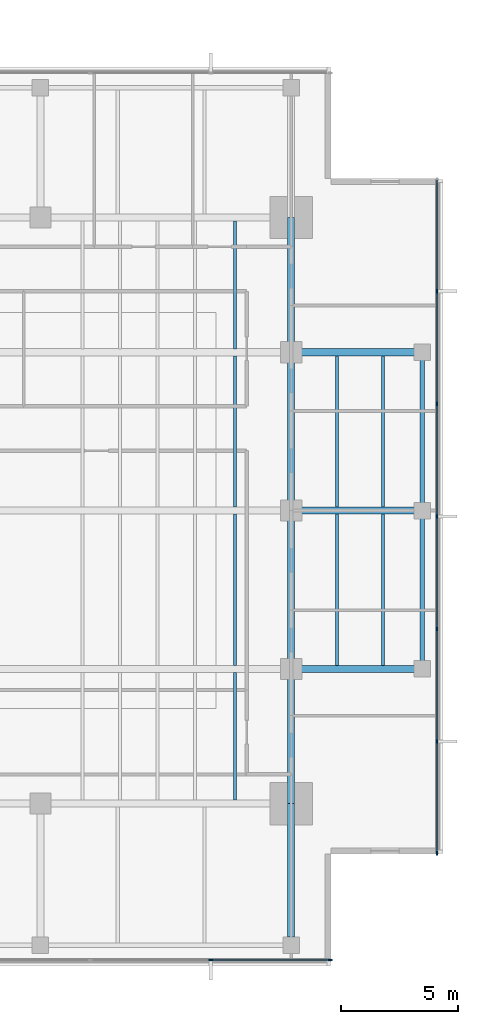
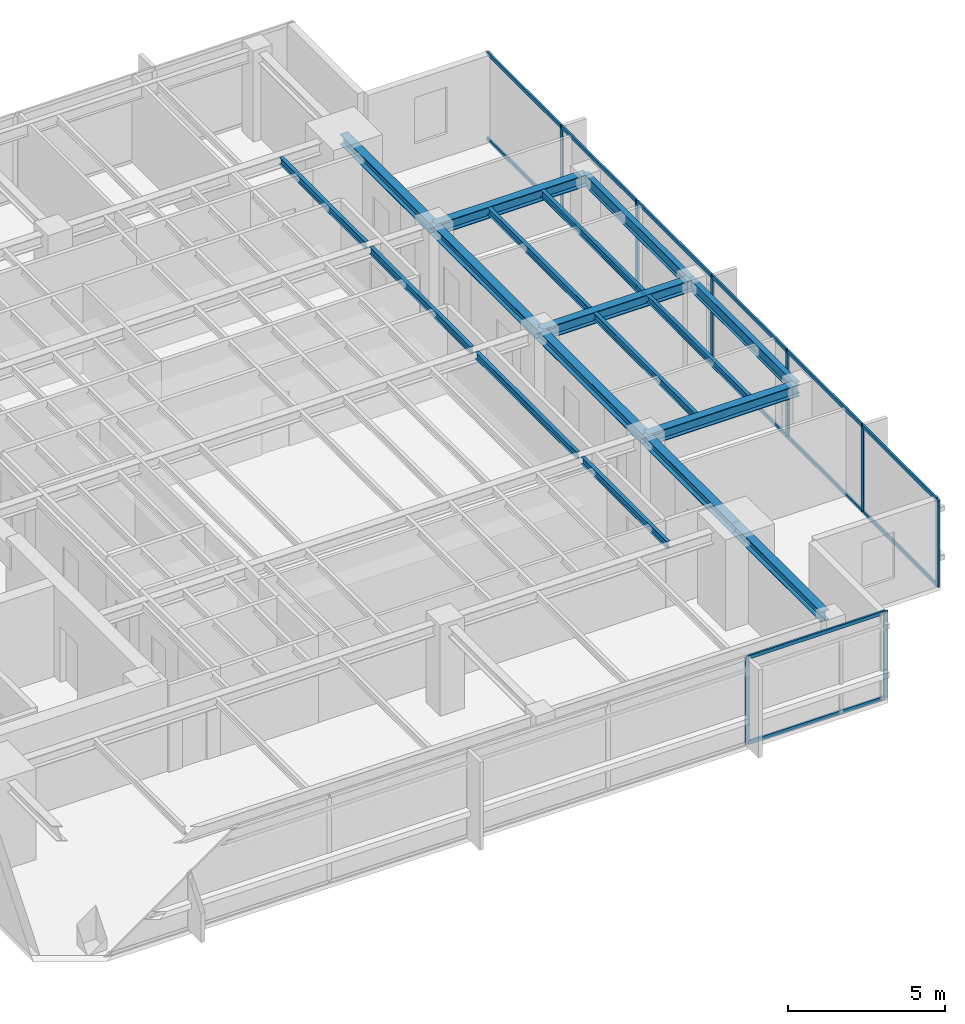
# One storey, part 4 of 14: 22 members, 18 beams, 2 elements without a shape of their own.
"""IFC4 building model written with IfcOpenShell, lengths in metres."""

import ifcopenshell
import ifcopenshell.guid

model = None  # the IFC model being written
_history = None  # IfcOwnerHistory: only IFC2X3 demands one
_inside = {}  # id of a spatial element -> (the spatial element, [elements in it])
_under = {}  # id of a project, library or spatial element -> (it, [spatial elements below it])
_declared = {}  # id of a project -> (the project, [libraries it declares])
_typed = {}  # id of a type object -> (the type object, [elements of that type])
_made_of = {}  # id of a material, layer set ... -> (it, [elements and type objects made of it])


def new_model(schema):
    """Start an empty IFC model of exactly this schema.

    Asked for "IFC4X3", IfcOpenShell would pick the latest addendum, in which some entities
    have other attributes; the version numbers below select the first issue.
    IFC2X3 requires an IfcOwnerHistory on every rooted entity: one is made here for all.
    """
    global model, _history
    if schema == "IFC4X3":
        model = ifcopenshell.file(schema_version=(4, 3, 0, 0))
    else:
        model = ifcopenshell.file(schema=schema)
    _inside.clear()
    _under.clear()
    _declared.clear()
    _typed.clear()
    _made_of.clear()
    _history = None
    if model.schema == "IFC2X3":
        org = make("IfcOrganization", Name="unknown")
        user = make(
            "IfcPersonAndOrganization",
            ThePerson=make("IfcPerson", FamilyName="unknown"),
            TheOrganization=org,
        )
        app = make(
            "IfcApplication",
            ApplicationDeveloper=org,
            Version="unknown",
            ApplicationFullName="unknown",
            ApplicationIdentifier="unknown",
        )
        _history = make(
            "IfcOwnerHistory",
            OwningUser=user,
            OwningApplication=app,
            ChangeAction="ADDED",
            CreationDate=0,
        )
    return model


def make(cls, **values):
    """One entity of the class cls with the attributes given. An attribute that is None is left unset."""
    return model.create_entity(
        cls, **{name: value for name, value in values.items() if value is not None}
    )


def rooted(cls, **values):
    """An entity with a GlobalId (a new one), such as an element, a storey or a relation."""
    return make(cls, GlobalId=ifcopenshell.guid.new(), OwnerHistory=_history, **values)


def si_unit(unit_type, name, prefix=None):
    """IfcSIUnit, for example si_unit("LENGTHUNIT", "METRE", prefix="MILLI")."""
    return make("IfcSIUnit", UnitType=unit_type, Prefix=prefix, Name=name)


def assignment(units):
    """IfcUnitAssignment: the units of a project."""
    return None if units is None else make("IfcUnitAssignment", Units=units)


def point(xyz):
    """IfcCartesianPoint."""
    return None if xyz is None else make("IfcCartesianPoint", Coordinates=xyz)


def direction(xyz):
    """IfcDirection."""
    return None if xyz is None else make("IfcDirection", DirectionRatios=xyz)


def frame(location, z_axis=None, x_axis=None):
    """IfcAxis2Placement3D, a coordinate frame: its origin and axes. An axis left out is left unset."""
    return make(
        "IfcAxis2Placement3D",
        Location=point(location),
        Axis=direction(z_axis),
        RefDirection=direction(x_axis),
    )


def frame_2d(location, x_axis=None):
    """IfcAxis2Placement2D, a coordinate frame in the plane: its origin and x axis."""
    return make(
        "IfcAxis2Placement2D", Location=point(location), RefDirection=direction(x_axis)
    )


def origin():
    """The frame at (0, 0, 0) with its axes left unset."""
    return frame((0.0, 0.0, 0.0))


def origin_2d():
    """The frame at (0, 0) in the plane with its x axis left unset."""
    return frame_2d((0.0, 0.0))


def place(relative_to, where):
    """IfcLocalPlacement: puts the frame where relative to a parent placement (None: the world)."""
    return make(
        "IfcLocalPlacement", PlacementRelTo=relative_to, RelativePlacement=where
    )


def context(
    kind, dimensions, precision=None, world=None, true_north=None, identifier=None
):
    """IfcGeometricRepresentationContext, for example the 3D "Model" context."""
    return make(
        "IfcGeometricRepresentationContext",
        ContextIdentifier=identifier,
        ContextType=kind,
        CoordinateSpaceDimension=dimensions,
        Precision=precision,
        WorldCoordinateSystem=world,
        TrueNorth=true_north,
    )


def subcontext(parent, identifier, kind, view, scale=None):
    """IfcGeometricRepresentationSubContext, for example "Body" below "Model"."""
    return make(
        "IfcGeometricRepresentationSubContext",
        ContextIdentifier=identifier,
        ContextType=kind,
        ParentContext=parent,
        TargetScale=scale,
        TargetView=view,
    )


def project(units=None, contexts=None):
    """IfcProject with its units and contexts."""
    return rooted(
        "IfcProject",
        Name="project",
        RepresentationContexts=contexts,
        UnitsInContext=assignment(units),
    )


def spatial(cls, under=None, at=None, **own):
    """A site, building, storey or space (cls), placed at a placement, below another one or the project."""
    s = rooted(cls, ObjectPlacement=at, **own)
    if under is not None:
        _under.setdefault(under.id(), (under, []))[1].append(s)
    return s


def profile(cls, at=None, kind="AREA", **sizes):
    """A parametric profile (cls). Its sizes go by their IFC names, for example OverallWidth=200.0."""
    return make(cls, ProfileType=kind, Position=at, **sizes)


def rectangle(**sizes):
    """IfcRectangleProfileDef."""
    return profile("IfcRectangleProfileDef", **sizes)


def i_section(**sizes):
    """IfcIShapeProfileDef."""
    return profile("IfcIShapeProfileDef", **sizes)


def extrude(swept, where, along, depth):
    """IfcExtrudedAreaSolid: the profile swept, set in the frame where, extruded along a direction by depth."""
    return make(
        "IfcExtrudedAreaSolid",
        SweptArea=swept,
        Position=where,
        ExtrudedDirection=direction(along),
        Depth=depth,
    )


def shape(context_of_items, identifier, shape_type, items):
    """IfcShapeRepresentation: the items that make up one representation, for example the "Body"."""
    return make(
        "IfcShapeRepresentation",
        ContextOfItems=context_of_items,
        RepresentationIdentifier=identifier,
        RepresentationType=shape_type,
        Items=items,
    )


def material(Name=None, Category=None):
    """IfcMaterial."""
    return make("IfcMaterial", Name=Name, Category=Category)


def layer(
    of_material, thickness, ventilated=None, Name=None, Category=None, Priority=None
):
    """IfcMaterialLayer: one layer of a wall or slab, of a material (None: an air gap)."""
    return make(
        "IfcMaterialLayer",
        Material=of_material,
        LayerThickness=thickness,
        IsVentilated=ventilated,
        Name=Name,
        Category=Category,
        Priority=Priority,
    )


def layer_set(layers, Name=None):
    """IfcMaterialLayerSet."""
    return make("IfcMaterialLayerSet", MaterialLayers=layers, LayerSetName=Name)


def material_profile(
    of_material, cross_section, Name=None, Category=None, Priority=None
):
    """IfcMaterialProfile: a cross section and its material."""
    return make(
        "IfcMaterialProfile",
        Name=Name,
        Material=of_material,
        Profile=cross_section,
        Priority=Priority,
        Category=Category,
    )


def profile_set(profiles, Name=None, composite=None):
    """IfcMaterialProfileSet."""
    return make(
        "IfcMaterialProfileSet",
        Name=Name,
        MaterialProfiles=profiles,
        CompositeProfile=composite,
    )


def made_of(thing, what):
    """Note that an element or type object is made of a material, layer set ...; save() writes the relation."""
    if what is not None:
        _made_of.setdefault(what.id(), (what, []))[1].append(thing)
    return thing


def type_object(cls, material=None, **own):
    """A type object (cls), such as IfcWallType, which elements share."""
    return made_of(rooted(cls, **own), material)


def element(
    cls,
    number,
    at=None,
    inside=None,
    cuts=None,
    type_object=None,
    material=None,
    context=None,
    identifier="Body",
    shape_type=None,
    held_by="IfcProductDefinitionShape",
    body=None,
    shapes=None,
    **own,
):
    """One element of the class cls, such as IfcWall. Its Tag is "e" and its number.

    at: its placement. inside: the storey or other place that contains it. cuts: it is an
    opening in that element (IfcRelVoidsElement). A single representation is given by context,
    identifier, shape_type and body (its items); several are given by shapes. held_by: the class
    of the entity that holds the representations. save() writes the other relations.
    """
    e = rooted(cls, Tag="e%d" % number, ObjectPlacement=at, **own)
    if body is not None:
        shapes = [shape(context, identifier, shape_type, body)]
    if shapes is not None:
        e.Representation = make(held_by, Representations=shapes)
    if inside is not None:
        _inside.setdefault(inside.id(), (inside, []))[1].append(e)
    if cuts is not None:
        rooted(
            "IfcRelVoidsElement", RelatingBuildingElement=cuts, RelatedOpeningElement=e
        )
    if type_object is not None:
        _typed.setdefault(type_object.id(), (type_object, []))[1].append(e)
    return made_of(e, material)


def aggregate(whole, parts):
    """IfcRelAggregates: a whole, such as a stair, and the parts it consists of."""
    return rooted("IfcRelAggregates", RelatingObject=whole, RelatedObjects=parts)


def save(model, path):
    """Write the relations noted so far, then the file.

    IfcRelAggregates (storeys below a building ...), IfcRelContainedInSpatialStructure (elements
    in a storey), IfcRelDefinesByType, IfcRelAssociatesMaterial and IfcRelDeclares: one each for
    every whole, place, type object, material and project.
    """
    for whole, parts in _under.values():
        aggregate(whole, parts)
    for where, things in _inside.values():
        rooted(
            "IfcRelContainedInSpatialStructure",
            RelatedElements=things,
            RelatingStructure=where,
        )
    for kind, things in _typed.values():
        rooted("IfcRelDefinesByType", RelatedObjects=things, RelatingType=kind)
    for what, things in _made_of.values():
        rooted("IfcRelAssociatesMaterial", RelatedObjects=things, RelatingMaterial=what)
    for by, libraries in _declared.values():
        rooted("IfcRelDeclares", RelatingContext=by, RelatedDefinitions=libraries)
    model.write(path)


model = new_model("IFC4")

# Units and contexts
model_context = context("Model", 3, precision=1e-05, world=origin(), true_north=direction((0.0, 1.0)))
body_context = subcontext(model_context, "Body", "Model", "MODEL_VIEW")
ifc_project = project(units=[si_unit("LENGTHUNIT", "METRE"), si_unit("AREAUNIT", "SQUARE_METRE"), si_unit("VOLUMEUNIT", "CUBIC_METRE"), si_unit("PLANEANGLEUNIT", "RADIAN"), si_unit("MASSUNIT", "GRAM", prefix="KILO")], contexts=[model_context])

# Site, building, storey
site_placement = place(None, origin())
site = spatial("IfcSite", under=ifc_project, at=site_placement, CompositionType="ELEMENT")
building_placement = place(site_placement, origin())
building = spatial("IfcBuilding", under=site, at=building_placement, Name="Kinhvarn Gate Tower", CompositionType="ELEMENT")
storey_placement = place(building_placement, frame((0.0, 0.0, 284.75)))
storey = spatial("IfcBuildingStorey", under=building, at=storey_placement, Name="L76", CompositionType="ELEMENT", Elevation=284.75)

# Curtain wall, members
ifc_material_1 = material(Name="Anodised aluminium AW-6063", Category="aluminium")
ifc_layer = layer(ifc_material_1, 0.179931640625)
ifc_layer_set = layer_set([ifc_layer], Name="Anodised aluminium AW-6063")
curtain_wall_type = type_object("IfcCurtainWallType", Name="CW-SYS-3", PredefinedType="NOTDEFINED", material=ifc_layer_set)
curtain_wall_1_placement = place(storey_placement, origin())
curtain_wall_1 = element("IfcCurtainWall", 1, at=curtain_wall_1_placement, inside=storey, type_object=curtain_wall_type, Name="Curtain Wall CW3 (L76)", PredefinedType="NOTDEFINED")
ifc_material_profile_1 = material_profile(ifc_material_1, rectangle(XDim=0.06494140625, YDim=0.159912109375, at=origin_2d()), Name="ALU 65x160")
ifc_profile_set_1 = profile_set([ifc_material_profile_1], Name="Anodised aluminium AW-6063")
member_type_1 = type_object("IfcMemberType", Name="CW-MUL-160", PredefinedType="MULLION", material=ifc_profile_set_1)
member_1_placement = place(storey_placement, frame((34.7666015625, 6.090087890625, 0.0), z_axis=(0.0, 0.0, 1.0), x_axis=(0.0, 1.0, 0.0)))
member_1 = element("IfcMember", 2, at=member_1_placement, type_object=member_type_1, Name="CW3 mullion 6", PredefinedType="MULLION", context=body_context, shape_type="SweptSolid", body=[
    extrude(rectangle(XDim=0.06494140625, YDim=0.159912109375, at=origin_2d()), origin(), (0.0, 0.0, 1.0), 3.389892578125),
])
member_2_placement = place(storey_placement, frame((39.867431640625, 6.090087890625, 0.0), z_axis=(0.0, 0.0, 1.0), x_axis=(0.0, 1.0, 0.0)))
member_2 = element("IfcMember", 3, at=member_2_placement, type_object=member_type_1, Name="CW3 mullion 7", PredefinedType="MULLION", context=body_context, shape_type="SweptSolid", body=[
    extrude(rectangle(XDim=0.06494140625, YDim=0.159912109375, at=origin_2d()), origin(), (0.0, 0.0, 1.0), 3.389892578125),
])

curtain_wall_2_placement = place(storey_placement, origin())
curtain_wall_2 = element("IfcCurtainWall", 4, at=curtain_wall_2_placement, inside=storey, type_object=curtain_wall_type, Name="Curtain Wall CW3 (L76)", PredefinedType="NOTDEFINED")
member_3_placement = place(storey_placement, frame((44.409912109375, 10.632568359375, 0.0), z_axis=(0.0, 0.0, 1.0), x_axis=(-1.0, 0.0, 0.0)))
member_3 = element("IfcMember", 5, at=member_3_placement, type_object=member_type_1, Name="CW3 mullion 1", PredefinedType="MULLION", context=body_context, shape_type="SweptSolid", body=[
    extrude(rectangle(XDim=0.06494140625, YDim=0.159912109375, at=origin_2d()), origin(), (0.0, 0.0, 1.0), 3.389892578125),
])
member_4_placement = place(storey_placement, frame((44.409912109375, 15.39990234375, 0.0), z_axis=(0.0, 0.0, 1.0), x_axis=(-1.0, 0.0, 0.0)))
member_4 = element("IfcMember", 6, at=member_4_placement, type_object=member_type_1, Name="CW3 mullion 2", PredefinedType="MULLION", context=body_context, shape_type="SweptSolid", body=[
    extrude(rectangle(XDim=0.06494140625, YDim=0.159912109375, at=origin_2d()), origin(), (0.0, 0.0, 1.0), 3.389892578125),
])
member_5_placement = place(storey_placement, frame((44.409912109375, 20.199951171875, 0.0), z_axis=(0.0, 0.0, 1.0), x_axis=(-1.0, 0.0, 0.0)))
member_5 = element("IfcMember", 7, at=member_5_placement, type_object=member_type_1, Name="CW3 mullion 3", PredefinedType="MULLION", context=body_context, shape_type="SweptSolid", body=[
    extrude(rectangle(XDim=0.06494140625, YDim=0.159912109375, at=origin_2d()), origin(), (0.0, 0.0, 1.0), 3.389892578125),
])
member_6_placement = place(storey_placement, frame((44.409912109375, 25.0, 0.0), z_axis=(0.0, 0.0, 1.0), x_axis=(-1.0, 0.0, 0.0)))
member_6 = element("IfcMember", 8, at=member_6_placement, type_object=member_type_1, Name="CW3 mullion 4", PredefinedType="MULLION", context=body_context, shape_type="SweptSolid", body=[
    extrude(rectangle(XDim=0.06494140625, YDim=0.159912109375, at=origin_2d()), origin(), (0.0, 0.0, 1.0), 3.389892578125),
])
member_7_placement = place(storey_placement, frame((44.409912109375, 29.800048828125, 0.0), z_axis=(0.0, 0.0, 1.0), x_axis=(-1.0, 0.0, 0.0)))
member_7 = element("IfcMember", 9, at=member_7_placement, type_object=member_type_1, Name="CW3 mullion 5", PredefinedType="MULLION", context=body_context, shape_type="SweptSolid", body=[
    extrude(rectangle(XDim=0.06494140625, YDim=0.159912109375, at=origin_2d()), origin(), (0.0, 0.0, 1.0), 3.389892578125),
])
member_8_placement = place(storey_placement, frame((44.409912109375, 34.60009765625, 0.0), z_axis=(0.0, 0.0, 1.0), x_axis=(-1.0, 0.0, 0.0)))
member_8 = element("IfcMember", 10, at=member_8_placement, type_object=member_type_1, Name="CW3 mullion 6", PredefinedType="MULLION", context=body_context, shape_type="SweptSolid", body=[
    extrude(rectangle(XDim=0.06494140625, YDim=0.159912109375, at=origin_2d()), origin(), (0.0, 0.0, 1.0), 3.389892578125),
])

# Member
ifc_material_profile_2 = material_profile(ifc_material_1, rectangle(XDim=0.070068359375, YDim=0.139892578125, at=origin_2d()), Name="ALU 70x140")
ifc_profile_set_2 = profile_set([ifc_material_profile_2], Name="Anodised aluminium AW-6063")
member_type_2 = type_object("IfcMemberType", Name="CW-TRN-140", PredefinedType="USERDEFINED", material=ifc_profile_set_2)
member_9_placement = place(storey_placement, frame((34.799072265625, 6.090087890625, 0.034912109375), z_axis=(1.0, 0.0, 0.0), x_axis=(0.0, 1.0, 0.0)))
member_9 = element("IfcMember", 11, at=member_9_placement, type_object=member_type_2, Name="CW3 transom 6.1", ObjectType="TRANSOM", PredefinedType="USERDEFINED", context=body_context, shape_type="SweptSolid", body=[
    extrude(rectangle(XDim=0.070068359375, YDim=0.139892578125, at=origin_2d()), origin(), (0.0, 0.0, 1.0), 5.035888671875),
])

member_10_placement = place(storey_placement, frame((34.799072265625, 6.090087890625, 3.35498046875), z_axis=(1.0, 0.0, 0.0), x_axis=(0.0, 1.0, 0.0)))
member_10 = element("IfcMember", 12, at=member_10_placement, type_object=member_type_2, Name="CW3 transom 6.2", ObjectType="TRANSOM", PredefinedType="USERDEFINED", context=body_context, shape_type="SweptSolid", body=[
    extrude(rectangle(XDim=0.070068359375, YDim=0.139892578125, at=origin_2d()), origin(), (0.0, 0.0, 1.0), 5.035888671875),
])

aggregate(curtain_wall_1, [member_1, member_2, member_9, member_10])

member_11_placement = place(storey_placement, frame((44.409912109375, 10.6650390625, 0.034912109375), z_axis=(0.0, 1.0, 0.0), x_axis=(-1.0, 0.0, 0.0)))
member_11 = element("IfcMember", 13, at=member_11_placement, type_object=member_type_2, Name="CW3 transom 1.1", ObjectType="TRANSOM", PredefinedType="USERDEFINED", context=body_context, shape_type="SweptSolid", body=[
    extrude(rectangle(XDim=0.070068359375, YDim=0.139892578125, at=origin_2d()), origin(), (0.0, 0.0, 1.0), 4.702392578125),
])

member_12_placement = place(storey_placement, frame((44.409912109375, 10.6650390625, 3.35498046875), z_axis=(0.0, 1.0, 0.0), x_axis=(-1.0, 0.0, 0.0)))
member_12 = element("IfcMember", 14, at=member_12_placement, type_object=member_type_2, Name="CW3 transom 1.2", ObjectType="TRANSOM", PredefinedType="USERDEFINED", context=body_context, shape_type="SweptSolid", body=[
    extrude(rectangle(XDim=0.070068359375, YDim=0.139892578125, at=origin_2d()), origin(), (0.0, 0.0, 1.0), 4.702392578125),
])

member_13_placement = place(storey_placement, frame((44.409912109375, 15.4326171875, 0.034912109375), z_axis=(0.0, 1.0, 0.0), x_axis=(-1.0, 0.0, 0.0)))
member_13 = element("IfcMember", 15, at=member_13_placement, type_object=member_type_2, Name="CW3 transom 2.1", ObjectType="TRANSOM", PredefinedType="USERDEFINED", context=body_context, shape_type="SweptSolid", body=[
    extrude(rectangle(XDim=0.070068359375, YDim=0.139892578125, at=origin_2d()), origin(), (0.0, 0.0, 1.0), 4.73486328125),
])

member_14_placement = place(storey_placement, frame((44.409912109375, 15.4326171875, 3.35498046875), z_axis=(0.0, 1.0, 0.0), x_axis=(-1.0, 0.0, 0.0)))
member_14 = element("IfcMember", 16, at=member_14_placement, type_object=member_type_2, Name="CW3 transom 2.2", ObjectType="TRANSOM", PredefinedType="USERDEFINED", context=body_context, shape_type="SweptSolid", body=[
    extrude(rectangle(XDim=0.070068359375, YDim=0.139892578125, at=origin_2d()), origin(), (0.0, 0.0, 1.0), 4.73486328125),
])

member_15_placement = place(storey_placement, frame((44.409912109375, 20.232421875, 0.034912109375), z_axis=(0.0, 1.0, 0.0), x_axis=(-1.0, 0.0, 0.0)))
member_15 = element("IfcMember", 17, at=member_15_placement, type_object=member_type_2, Name="CW3 transom 3.1", ObjectType="TRANSOM", PredefinedType="USERDEFINED", context=body_context, shape_type="SweptSolid", body=[
    extrude(rectangle(XDim=0.070068359375, YDim=0.139892578125, at=origin_2d()), origin(), (0.0, 0.0, 1.0), 4.735107421875),
])

member_16_placement = place(storey_placement, frame((44.409912109375, 20.232421875, 3.35498046875), z_axis=(0.0, 1.0, 0.0), x_axis=(-1.0, 0.0, 0.0)))
member_16 = element("IfcMember", 18, at=member_16_placement, type_object=member_type_2, Name="CW3 transom 3.2", ObjectType="TRANSOM", PredefinedType="USERDEFINED", context=body_context, shape_type="SweptSolid", body=[
    extrude(rectangle(XDim=0.070068359375, YDim=0.139892578125, at=origin_2d()), origin(), (0.0, 0.0, 1.0), 4.735107421875),
])

member_17_placement = place(storey_placement, frame((44.409912109375, 25.032470703125, 0.034912109375), z_axis=(0.0, 1.0, 0.0), x_axis=(-1.0, 0.0, 0.0)))
member_17 = element("IfcMember", 19, at=member_17_placement, type_object=member_type_2, Name="CW3 transom 4.1", ObjectType="TRANSOM", PredefinedType="USERDEFINED", context=body_context, shape_type="SweptSolid", body=[
    extrude(rectangle(XDim=0.070068359375, YDim=0.139892578125, at=origin_2d()), origin(), (0.0, 0.0, 1.0), 4.735107421875),
])

member_18_placement = place(storey_placement, frame((44.409912109375, 25.032470703125, 3.35498046875), z_axis=(0.0, 1.0, 0.0), x_axis=(-1.0, 0.0, 0.0)))
member_18 = element("IfcMember", 20, at=member_18_placement, type_object=member_type_2, Name="CW3 transom 4.2", ObjectType="TRANSOM", PredefinedType="USERDEFINED", context=body_context, shape_type="SweptSolid", body=[
    extrude(rectangle(XDim=0.070068359375, YDim=0.139892578125, at=origin_2d()), origin(), (0.0, 0.0, 1.0), 4.735107421875),
])

member_19_placement = place(storey_placement, frame((44.409912109375, 29.83251953125, 0.034912109375), z_axis=(0.0, 1.0, 0.0), x_axis=(-1.0, 0.0, 0.0)))
member_19 = element("IfcMember", 21, at=member_19_placement, type_object=member_type_2, Name="CW3 transom 5.1", ObjectType="TRANSOM", PredefinedType="USERDEFINED", context=body_context, shape_type="SweptSolid", body=[
    extrude(rectangle(XDim=0.070068359375, YDim=0.139892578125, at=origin_2d()), origin(), (0.0, 0.0, 1.0), 4.73486328125),
])

member_20_placement = place(storey_placement, frame((44.409912109375, 29.83251953125, 3.35498046875), z_axis=(0.0, 1.0, 0.0), x_axis=(-1.0, 0.0, 0.0)))
member_20 = element("IfcMember", 22, at=member_20_placement, type_object=member_type_2, Name="CW3 transom 5.2", ObjectType="TRANSOM", PredefinedType="USERDEFINED", context=body_context, shape_type="SweptSolid", body=[
    extrude(rectangle(XDim=0.070068359375, YDim=0.139892578125, at=origin_2d()), origin(), (0.0, 0.0, 1.0), 4.73486328125),
])

member_21_placement = place(storey_placement, frame((44.409912109375, 34.632568359375, 0.034912109375), z_axis=(0.0, 1.0, 0.0), x_axis=(-1.0, 0.0, 0.0)))
member_21 = element("IfcMember", 23, at=member_21_placement, type_object=member_type_2, Name="CW3 transom 6.1", ObjectType="TRANSOM", PredefinedType="USERDEFINED", context=body_context, shape_type="SweptSolid", body=[
    extrude(rectangle(XDim=0.070068359375, YDim=0.139892578125, at=origin_2d()), origin(), (0.0, 0.0, 1.0), 4.702392578125),
])

member_22_placement = place(storey_placement, frame((44.409912109375, 34.632568359375, 3.35498046875), z_axis=(0.0, 1.0, 0.0), x_axis=(-1.0, 0.0, 0.0)))
member_22 = element("IfcMember", 24, at=member_22_placement, type_object=member_type_2, Name="CW3 transom 6.2", ObjectType="TRANSOM", PredefinedType="USERDEFINED", context=body_context, shape_type="SweptSolid", body=[
    extrude(rectangle(XDim=0.070068359375, YDim=0.139892578125, at=origin_2d()), origin(), (0.0, 0.0, 1.0), 4.702392578125),
])

aggregate(curtain_wall_2, [member_3, member_4, member_5, member_6, member_7, member_8, member_11, member_12, member_13, member_14, member_15, member_16, member_17, member_18, member_19, member_20, member_21, member_22])

# Beams
ifc_material_2 = material(Name="Steel S355", Category="steel")
ifc_material_profile_3 = material_profile(ifc_material_2, i_section(OverallWidth=0.300048828125, OverallDepth=0.39990234375, WebThickness=0.013427734375, FlangeThickness=0.02392578125, at=origin_2d()), Name="HEB 400")
ifc_profile_set_3 = profile_set([ifc_material_profile_3], Name="Steel S355")
beam_type_1 = type_object("IfcBeamType", Name="STL-HEB400", PredefinedType="BEAM", material=ifc_profile_set_3)
beam_1_placement = place(storey_placement, frame((38.199951171875, 7.054931640625, 3.18994140625), z_axis=(0.0, 1.0, 0.0), x_axis=(-1.0, 0.0, 0.0)))
element("IfcBeam", 25, at=beam_1_placement, inside=storey, type_object=beam_type_1, Name="Floor Beam PG-12 (L76 MCE-S)", PredefinedType="BEAM", context=body_context, shape_type="SweptSolid", body=[
    extrude(i_section(OverallWidth=0.300048828125, OverallDepth=0.39990234375, WebThickness=0.013427734375, FlangeThickness=0.02392578125, at=origin_2d()), origin(), (0.0, 0.0, 1.0), 5.695068359375),
])
beam_2_placement = place(storey_placement, frame((38.199951171875, 12.75, 3.18994140625), z_axis=(0.0, 1.0, 0.0), x_axis=(-1.0, 0.0, 0.0)))
element("IfcBeam", 26, at=beam_2_placement, inside=storey, type_object=beam_type_1, Name="Floor Beam PG-12 (L76 MG-E-12)", PredefinedType="BEAM", context=body_context, shape_type="SweptSolid", body=[
    extrude(i_section(OverallWidth=0.300048828125, OverallDepth=0.39990234375, WebThickness=0.013427734375, FlangeThickness=0.02392578125, at=origin_2d()), origin(), (0.0, 0.0, 1.0), 5.75),
])
for number, where, z_axis, x_axis, name in (
    (27, (38.199951171875, 18.5, 3.18994140625), (0.0, 1.0, 0.0), (-1.0, 0.0, 0.0), "Floor Beam PG-12 (L76 MG-E-18)"),
    (28, (38.199951171875, 25.25, 3.18994140625), (0.0, 1.0, 0.0), (-1.0, 0.0, 0.0), "Floor Beam PG-12 (L76 MG-E-25)"),
):
    element("IfcBeam", number, at=place(storey_placement, frame(where, z_axis=z_axis, x_axis=x_axis)), inside=storey, type_object=beam_type_1, Name=name, PredefinedType="BEAM", context=body_context, shape_type="SweptSolid", body=[
        extrude(i_section(OverallWidth=0.300048828125, OverallDepth=0.39990234375, WebThickness=0.013427734375, FlangeThickness=0.02392578125, at=origin_2d()), origin(), (0.0, 0.0, 1.0), 6.75),
    ])
beam_3_placement = place(storey_placement, frame((38.199951171875, 32.0, 3.18994140625), z_axis=(0.0, 1.0, 0.0), x_axis=(-1.0, 0.0, 0.0)))
element("IfcBeam", 29, at=beam_3_placement, inside=storey, type_object=beam_type_1, Name="Floor Beam PG-12 (L76 MG-E-32)", PredefinedType="BEAM", context=body_context, shape_type="SweptSolid", body=[
    extrude(i_section(OverallWidth=0.300048828125, OverallDepth=0.39990234375, WebThickness=0.013427734375, FlangeThickness=0.02392578125, at=origin_2d()), origin(), (0.0, 0.0, 1.0), 5.75),
])
ifc_material_profile_4 = material_profile(ifc_material_2, i_section(OverallWidth=0.300048828125, OverallDepth=0.449951171875, WebThickness=0.013916015625, FlangeThickness=0.02587890625, at=origin_2d()), Name="HEB 450")
ifc_profile_set_4 = profile_set([ifc_material_profile_4], Name="Steel S355")
beam_type_2 = type_object("IfcBeamType", Name="STL-HEB450", PredefinedType="BEAM", material=ifc_profile_set_4)
for number, where, z_axis, x_axis, name in (
    (30, (38.199951171875, 18.5, 3.1650390625), (1.0, 0.0, 0.0), (0.0, 1.0, 0.0), "Floor Beam PG-13 (L76 EW2-Y18)"),
    (31, (38.199951171875, 25.25, 3.1650390625), (1.0, 0.0, 0.0), (0.0, 1.0, 0.0), "Floor Beam PG-13 (L76 EW2-Y25)"),
    (32, (38.199951171875, 32.0, 3.1650390625), (1.0, 0.0, 0.0), (0.0, 1.0, 0.0), "Floor Beam PG-13 (L76 EW2-Y32)"),
):
    element("IfcBeam", number, at=place(storey_placement, frame(where, z_axis=z_axis, x_axis=x_axis)), inside=storey, type_object=beam_type_2, Name=name, PredefinedType="BEAM", context=body_context, shape_type="SweptSolid", body=[
        extrude(i_section(OverallWidth=0.300048828125, OverallDepth=0.449951171875, WebThickness=0.013916015625, FlangeThickness=0.02587890625, at=origin_2d()), origin(), (0.0, 0.0, 1.0), 5.580078125),
    ])
ifc_material_profile_5 = material_profile(ifc_material_2, i_section(OverallWidth=0.135009765625, OverallDepth=0.27001953125, WebThickness=0.006591796875, FlangeThickness=0.01025390625, at=origin_2d()), Name="IPE 270")
ifc_profile_set_5 = profile_set([ifc_material_profile_5], Name="Steel S355")
beam_type_3 = type_object("IfcBeamType", Name="STL-IPE270", PredefinedType="JOIST", material=ifc_profile_set_5)
beam_4_placement = place(storey_placement, frame((35.800048828125, 12.89990234375, 3.2548828125), z_axis=(0.0, 1.0, 0.0), x_axis=(-1.0, 0.0, 0.0)))
element("IfcBeam", 33, at=beam_4_placement, inside=storey, type_object=beam_type_3, Name="Floor Joist SB-01 (L76 JC-X358-0)", PredefinedType="JOIST", context=body_context, shape_type="SweptSolid", body=[
    extrude(i_section(OverallWidth=0.135009765625, OverallDepth=0.27001953125, WebThickness=0.006591796875, FlangeThickness=0.01025390625, at=origin_2d()), origin(), (0.0, 0.0, 1.0), 5.4501953125),
])
for number, where, z_axis, x_axis, name in (
    (34, (35.800048828125, 18.64990234375, 3.2548828125), (0.0, 1.0, 0.0), (-1.0, 0.0, 0.0), "Floor Joist SB-01 (L76 JC-X358-1)"),
    (35, (35.800048828125, 25.39990234375, 3.2548828125), (0.0, 1.0, 0.0), (-1.0, 0.0, 0.0), "Floor Joist SB-01 (L76 JC-X358-2)"),
):
    element("IfcBeam", number, at=place(storey_placement, frame(where, z_axis=z_axis, x_axis=x_axis)), inside=storey, type_object=beam_type_3, Name=name, PredefinedType="JOIST", context=body_context, shape_type="SweptSolid", body=[
        extrude(i_section(OverallWidth=0.135009765625, OverallDepth=0.27001953125, WebThickness=0.006591796875, FlangeThickness=0.01025390625, at=origin_2d()), origin(), (0.0, 0.0, 1.0), 6.4501953125),
    ])
beam_5_placement = place(storey_placement, frame((35.800048828125, 32.14990234375, 3.2548828125), z_axis=(0.0, 1.0, 0.0), x_axis=(-1.0, 0.0, 0.0)))
element("IfcBeam", 36, at=beam_5_placement, inside=storey, type_object=beam_type_3, Name="Floor Joist SB-01 (L76 JC-X358-3)", PredefinedType="JOIST", context=body_context, shape_type="SweptSolid", body=[
    extrude(i_section(OverallWidth=0.135009765625, OverallDepth=0.27001953125, WebThickness=0.006591796875, FlangeThickness=0.01025390625, at=origin_2d()), origin(), (0.0, 0.0, 1.0), 5.4501953125),
])
for number, where, z_axis, x_axis, name in (
    (37, (40.14990234375, 18.64990234375, 3.2548828125), (0.0, 1.0, 0.0), (-1.0, 0.0, 0.0), "Floor Joist SB-01 (L76 JC-X401-1)"),
    (38, (40.14990234375, 25.39990234375, 3.2548828125), (0.0, 1.0, 0.0), (-1.0, 0.0, 0.0), "Floor Joist SB-01 (L76 JC-X401-2)"),
    (39, (42.110107421875, 18.64990234375, 3.2548828125), (0.0, 1.0, 0.0), (-1.0, 0.0, 0.0), "Floor Joist SB-01 (L76 JC-X421-1)"),
    (40, (42.110107421875, 25.39990234375, 3.2548828125), (0.0, 1.0, 0.0), (-1.0, 0.0, 0.0), "Floor Joist SB-01 (L76 JC-X421-2)"),
):
    element("IfcBeam", number, at=place(storey_placement, frame(where, z_axis=z_axis, x_axis=x_axis)), inside=storey, type_object=beam_type_3, Name=name, PredefinedType="JOIST", context=body_context, shape_type="SweptSolid", body=[
        extrude(i_section(OverallWidth=0.135009765625, OverallDepth=0.27001953125, WebThickness=0.006591796875, FlangeThickness=0.01025390625, at=origin_2d()), origin(), (0.0, 0.0, 1.0), 6.4501953125),
    ])
ifc_material_profile_6 = material_profile(ifc_material_2, i_section(OverallWidth=0.18994140625, OverallDepth=0.449951171875, WebThickness=0.009521484375, FlangeThickness=0.0146484375, at=origin_2d()), Name="IPE 450")
ifc_profile_set_6 = profile_set([ifc_material_profile_6], Name="Steel S355")
beam_type_4 = type_object("IfcBeamType", Name="STL-IPE450", PredefinedType="JOIST", material=ifc_profile_set_6)
for number, where, z_axis, x_axis, name in (
    (41, (43.780029296875, 18.5, 3.1650390625), (0.0, 1.0, 0.0), (-1.0, 0.0, 0.0), "Floor Joist SB-06 (L76 SP-E2)"),
    (42, (43.780029296875, 25.25, 3.1650390625), (0.0, 1.0, 0.0), (-1.0, 0.0, 0.0), "Floor Joist SB-06 (L76 SP-E3)"),
):
    element("IfcBeam", number, at=place(storey_placement, frame(where, z_axis=z_axis, x_axis=x_axis)), inside=storey, type_object=beam_type_4, Name=name, PredefinedType="JOIST", context=body_context, shape_type="SweptSolid", body=[
        extrude(i_section(OverallWidth=0.18994140625, OverallDepth=0.449951171875, WebThickness=0.009521484375, FlangeThickness=0.0146484375, at=origin_2d()), origin(), (0.0, 0.0, 1.0), 6.75),
    ])

save(model, "model.ifc")
